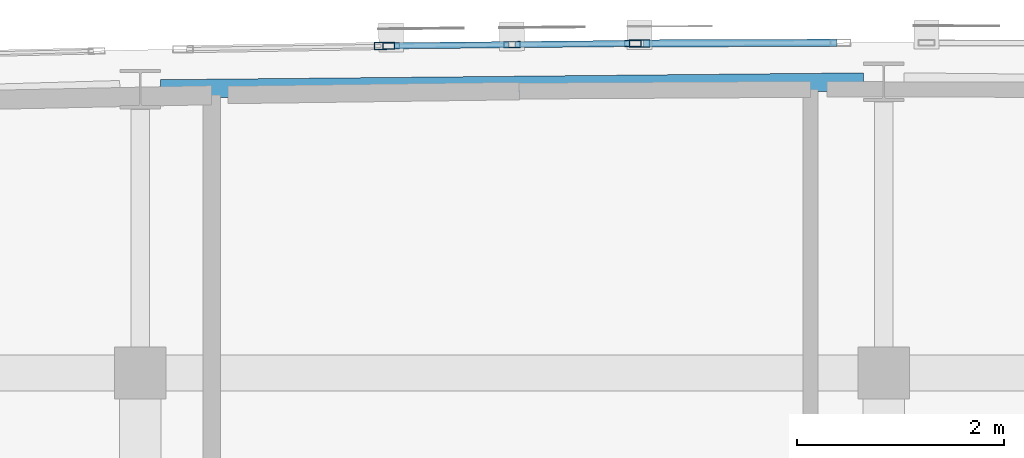
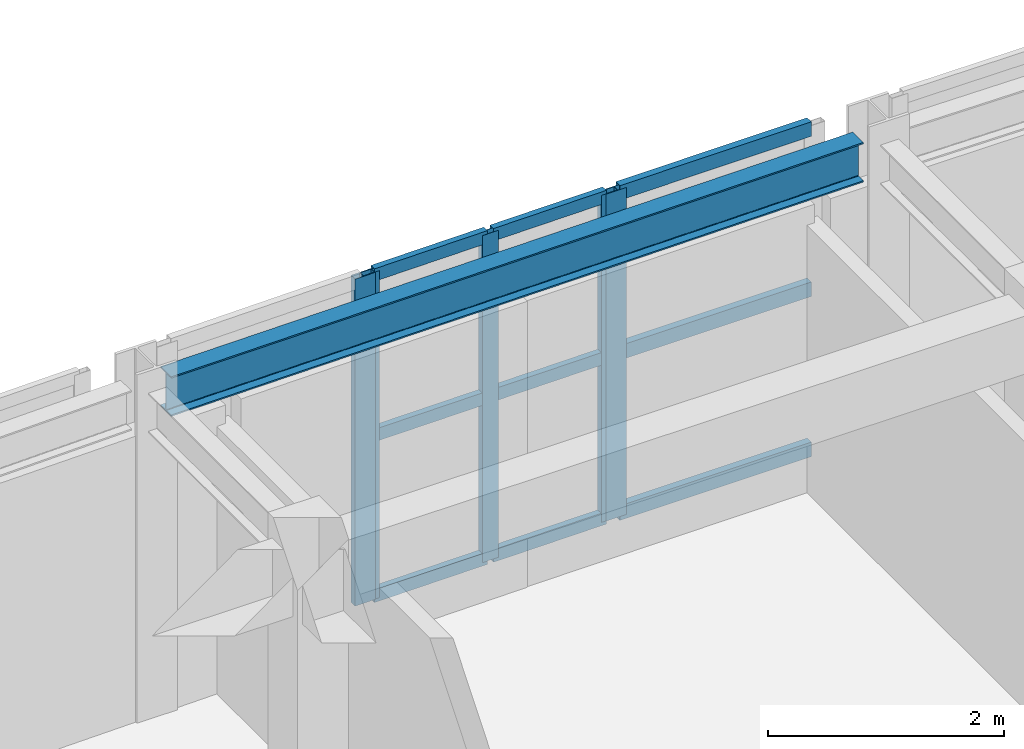
# One storey, part 15 of 34: 14 members, 1 beam, 3 elements without a shape of their own.
"""IFC4 building model written with IfcOpenShell, lengths in metres."""

from ifc_helpers import new_model, si_unit, direction, frame, origin, origin_2d, place, context, subcontext, project, spatial, hollow_rectangle, i_section, extrude, material, layer, layer_set, material_profile, profile_set, type_object, element, aggregate, save


model = new_model("IFC4")

# Units and contexts
model_context = context("Model", 3, precision=1e-05, world=origin(), true_north=direction((0.0, 1.0)))
body_context = subcontext(model_context, "Body", "Model", "MODEL_VIEW")
ifc_project = project(units=[si_unit("LENGTHUNIT", "METRE"), si_unit("AREAUNIT", "SQUARE_METRE"), si_unit("VOLUMEUNIT", "CUBIC_METRE"), si_unit("PLANEANGLEUNIT", "RADIAN"), si_unit("MASSUNIT", "GRAM", prefix="KILO")], contexts=[model_context])

# Site, building, storey
site_placement = place(None, origin())
site = spatial("IfcSite", under=ifc_project, at=site_placement, CompositionType="ELEMENT")
building_placement = place(site_placement, origin())
building = spatial("IfcBuilding", under=site, at=building_placement, Name="Carrowvane Square Congress Hotel", CompositionType="ELEMENT")
storey_placement = place(building_placement, frame((0.0, 0.0, 40.800048828125)))
storey = spatial("IfcBuildingStorey", under=building, at=storey_placement, Name="L10", CompositionType="ELEMENT", Elevation=40.800048828125)

# Beam
ifc_material_1 = material(Name="Steel S355", Category="steel")
ifc_material_profile_1 = material_profile(ifc_material_1, i_section(OverallWidth=0.1787109375, OverallDepth=0.409423828125, WebThickness=0.0087890625, FlangeThickness=0.014404296875, FilletRadius=0.01025390625, at=origin_2d()), Name="UKB 406x178x67")
ifc_profile_set_1 = profile_set([ifc_material_profile_1], Name="Steel S355")
beam_type = type_object("IfcBeamType", Name="BM-ST-UKB406", PredefinedType="BEAM", material=ifc_profile_set_1)
beam_placement = place(storey_placement, frame((90.997314453125, 116.151611328125, 3.17529296875), z_axis=(0.99995239219, 0.009757733037, 0.0), x_axis=(-0.009757733037, 0.99995239219, 0.0)))
element("IfcBeam", 1, at=beam_placement, inside=storey, type_object=beam_type, Name="L11 curved north spandrel", PredefinedType="BEAM", context=body_context, shape_type="SweptSolid", body=[
    extrude(i_section(OverallWidth=0.1787109375, OverallDepth=0.409423828125, WebThickness=0.0087890625, FlangeThickness=0.014404296875, FilletRadius=0.01025390625, at=origin_2d()), origin(), (0.0, 0.0, 1.0), 6.805419921875),
])

# Curtain wall, members
ifc_material_2 = material(Name="Anodised aluminium", Category="aluminium")
ifc_layer_1 = layer(ifc_material_2, 0.2099609375)
ifc_layer_set_1 = layer_set([ifc_layer_1], Name="Anodised aluminium")
curtain_wall_type_1 = type_object("IfcCurtainWallType", Name="CW-SYS-5", PredefinedType="NOTDEFINED", material=ifc_layer_set_1)
curtain_wall_1_placement = place(storey_placement, origin())
curtain_wall_1 = element("IfcCurtainWall", 2, at=curtain_wall_1_placement, inside=storey, type_object=curtain_wall_type_1, Name="L10 unitised curtain wall 572", PredefinedType="NOTDEFINED")
ifc_material_3 = material(Name="Anodised aluminium", Category="aluminium")
ifc_material_profile_2 = material_profile(ifc_material_3, hollow_rectangle(XDim=0.06005859375, YDim=0.159912109375, WallThickness=0.00390625, at=origin_2d()), Name="CW-ML 60x160x4")
ifc_profile_set_2 = profile_set([ifc_material_profile_2], Name="Anodised aluminium")
member_type_1 = type_object("IfcMemberType", Name="CW-MUL-1", PredefinedType="MULLION", material=ifc_profile_set_2)
member_1_placement = place(storey_placement, frame((93.22998046875, 116.56884765625, 0.0), z_axis=(0.0, 0.0, 1.0), x_axis=(-0.009782905924, 0.999952146231, 0.0)))
member_1 = element("IfcMember", 3, at=member_1_placement, type_object=member_type_1, Name="CW-5 mullion 1", PredefinedType="MULLION", context=body_context, shape_type="SweptSolid", body=[
    extrude(hollow_rectangle(XDim=0.06005859375, YDim=0.159912109375, WallThickness=0.00390625, at=origin_2d()), origin(), (0.0, 0.0, 1.0), 3.3798828125),
])
member_2_placement = place(storey_placement, frame((94.39990234375, 116.580322265625, 0.0), z_axis=(0.0, 0.0, 1.0), x_axis=(-0.009782905924, 0.999952146231, 0.0)))
member_2 = element("IfcMember", 4, at=member_2_placement, type_object=member_type_1, Name="CW-5 mullion 2", PredefinedType="MULLION", context=body_context, shape_type="SweptSolid", body=[
    extrude(hollow_rectangle(XDim=0.06005859375, YDim=0.159912109375, WallThickness=0.00390625, at=origin_2d()), origin(), (0.0, 0.0, 1.0), 3.3798828125),
])
member_3_placement = place(storey_placement, frame((95.570068359375, 116.591796875, 0.0), z_axis=(0.0, 0.0, 1.0), x_axis=(-0.009782905924, 0.999952146231, 0.0)))
member_3 = element("IfcMember", 5, at=member_3_placement, type_object=member_type_1, Name="CW-5 mullion 3", PredefinedType="MULLION", context=body_context, shape_type="SweptSolid", body=[
    extrude(hollow_rectangle(XDim=0.06005859375, YDim=0.159912109375, WallThickness=0.00390625, at=origin_2d()), origin(), (0.0, 0.0, 1.0), 3.3798828125),
])

# Curtain wall, member
ifc_material_4 = material(Name="Anodised aluminium", Category="aluminium")
ifc_layer_2 = layer(ifc_material_4, 0.197998046875)
ifc_layer_set_2 = layer_set([ifc_layer_2], Name="Anodised aluminium")
curtain_wall_type_2 = type_object("IfcCurtainWallType", Name="CW-SYS-4", PredefinedType="NOTDEFINED", material=ifc_layer_set_2)
curtain_wall_2_placement = place(storey_placement, origin())
curtain_wall_2 = element("IfcCurtainWall", 6, at=curtain_wall_2_placement, inside=storey, type_object=curtain_wall_type_2, Name="L10 unitised curtain wall 571", PredefinedType="NOTDEFINED")
ifc_material_5 = material(Name="Anodised aluminium", Category="aluminium")
ifc_material_profile_3 = material_profile(ifc_material_5, hollow_rectangle(XDim=0.070068359375, YDim=0.199951171875, WallThickness=0.0048828125, at=origin_2d()), Name="CW-ML 70x200x5")
ifc_profile_set_3 = profile_set([ifc_material_profile_3], Name="Anodised aluminium")
member_type_2 = type_object("IfcMemberType", Name="CW-MUL-2", PredefinedType="MULLION", material=ifc_profile_set_3)
member_4_placement = place(storey_placement, frame((93.1650390625, 116.568115234375, 0.0), z_axis=(0.0, 0.0, 1.0), x_axis=(-0.016215981364, 0.99986851233, 0.0)))
member_4 = element("IfcMember", 7, at=member_4_placement, type_object=member_type_2, Name="CW-4 mullion 2", PredefinedType="MULLION", context=body_context, shape_type="SweptSolid", body=[
    extrude(hollow_rectangle(XDim=0.070068359375, YDim=0.199951171875, WallThickness=0.0048828125, at=origin_2d()), origin(), (0.0, 0.0, 1.0), 3.3798828125),
])
aggregate(curtain_wall_2, [member_4])

ifc_material_6 = material(Name="Anodised aluminium", Category="aluminium")
ifc_layer_3 = layer(ifc_material_6, 0.221923828125)
ifc_layer_set_3 = layer_set([ifc_layer_3], Name="Anodised aluminium")
curtain_wall_type_3 = type_object("IfcCurtainWallType", Name="CW-SYS-6", PredefinedType="NOTDEFINED", material=ifc_layer_set_3)
curtain_wall_3_placement = place(storey_placement, origin())
curtain_wall_3 = element("IfcCurtainWall", 8, at=curtain_wall_3_placement, inside=storey, type_object=curtain_wall_type_3, Name="L10 unitised curtain wall 573", PredefinedType="NOTDEFINED")
member_5_placement = place(storey_placement, frame((95.635009765625, 116.59228515625, 0.0), z_axis=(0.0, 0.0, 1.0), x_axis=(-0.003270307911, 0.999994652529, 0.0)))
member_5 = element("IfcMember", 9, at=member_5_placement, type_object=member_type_2, Name="CW-6 mullion 1", PredefinedType="MULLION", context=body_context, shape_type="SweptSolid", body=[
    extrude(hollow_rectangle(XDim=0.070068359375, YDim=0.199951171875, WallThickness=0.0048828125, at=origin_2d()), origin(), (0.0, 0.0, 1.0), 3.3798828125),
])

# Member
ifc_material_7 = material(Name="Anodised aluminium", Category="aluminium")
ifc_material_profile_4 = material_profile(ifc_material_7, hollow_rectangle(XDim=0.06005859375, YDim=0.1298828125, WallThickness=0.00390625, at=origin_2d()), Name="CW-TR 60x130x4")
ifc_profile_set_4 = profile_set([ifc_material_profile_4], Name="Anodised aluminium")
member_type_3 = type_object("IfcMemberType", Name="CW-TRN-1", PredefinedType="USERDEFINED", material=ifc_profile_set_4)
member_6_placement = place(storey_placement, frame((93.260009765625, 116.5693359375, 0.030029296875), z_axis=(0.99995318393, 0.009676256893, 0.0), x_axis=(-0.009676256893, 0.99995318393, 0.0)))
member_6 = element("IfcMember", 10, at=member_6_placement, type_object=member_type_3, Name="CW-5 transom 1.1", ObjectType="TRANSOM", PredefinedType="USERDEFINED", context=body_context, shape_type="SweptSolid", body=[
    extrude(hollow_rectangle(XDim=0.06005859375, YDim=0.1298828125, WallThickness=0.00390625, at=origin_2d()), origin(), (0.0, 0.0, 1.0), 1.110107421875),
])

member_7_placement = place(storey_placement, frame((93.260009765625, 116.5693359375, 1.68994140625), z_axis=(0.99995318393, 0.009676256893, 0.0), x_axis=(-0.009676256893, 0.99995318393, 0.0)))
member_7 = element("IfcMember", 11, at=member_7_placement, type_object=member_type_3, Name="CW-5 transom 1.2", ObjectType="TRANSOM", PredefinedType="USERDEFINED", context=body_context, shape_type="SweptSolid", body=[
    extrude(hollow_rectangle(XDim=0.06005859375, YDim=0.1298828125, WallThickness=0.00390625, at=origin_2d()), origin(), (0.0, 0.0, 1.0), 1.110107421875),
])

member_8_placement = place(storey_placement, frame((93.260009765625, 116.5693359375, 3.349853515625), z_axis=(0.99995318393, 0.009676256893, 0.0), x_axis=(-0.009676256893, 0.99995318393, 0.0)))
member_8 = element("IfcMember", 12, at=member_8_placement, type_object=member_type_3, Name="CW-5 transom 1.3", ObjectType="TRANSOM", PredefinedType="USERDEFINED", context=body_context, shape_type="SweptSolid", body=[
    extrude(hollow_rectangle(XDim=0.06005859375, YDim=0.1298828125, WallThickness=0.00390625, at=origin_2d()), origin(), (0.0, 0.0, 1.0), 1.110107421875),
])

member_9_placement = place(storey_placement, frame((94.429931640625, 116.580810546875, 0.030029296875), z_axis=(0.99995318393, 0.009676256893, 0.0), x_axis=(-0.009676256893, 0.99995318393, 0.0)))
member_9 = element("IfcMember", 13, at=member_9_placement, type_object=member_type_3, Name="CW-5 transom 2.1", ObjectType="TRANSOM", PredefinedType="USERDEFINED", context=body_context, shape_type="SweptSolid", body=[
    extrude(hollow_rectangle(XDim=0.06005859375, YDim=0.1298828125, WallThickness=0.00390625, at=origin_2d()), origin(), (0.0, 0.0, 1.0), 1.110107421875),
])

member_10_placement = place(storey_placement, frame((94.429931640625, 116.580810546875, 1.68994140625), z_axis=(0.99995318393, 0.009676256893, 0.0), x_axis=(-0.009676256893, 0.99995318393, 0.0)))
member_10 = element("IfcMember", 14, at=member_10_placement, type_object=member_type_3, Name="CW-5 transom 2.2", ObjectType="TRANSOM", PredefinedType="USERDEFINED", context=body_context, shape_type="SweptSolid", body=[
    extrude(hollow_rectangle(XDim=0.06005859375, YDim=0.1298828125, WallThickness=0.00390625, at=origin_2d()), origin(), (0.0, 0.0, 1.0), 1.110107421875),
])

member_11_placement = place(storey_placement, frame((94.429931640625, 116.580810546875, 3.349853515625), z_axis=(0.99995318393, 0.009676256893, 0.0), x_axis=(-0.009676256893, 0.99995318393, 0.0)))
member_11 = element("IfcMember", 15, at=member_11_placement, type_object=member_type_3, Name="CW-5 transom 2.3", ObjectType="TRANSOM", PredefinedType="USERDEFINED", context=body_context, shape_type="SweptSolid", body=[
    extrude(hollow_rectangle(XDim=0.06005859375, YDim=0.1298828125, WallThickness=0.00390625, at=origin_2d()), origin(), (0.0, 0.0, 1.0), 1.110107421875),
])

aggregate(curtain_wall_1, [member_1, member_2, member_3, member_6, member_7, member_8, member_9, member_10, member_11])

ifc_material_8 = material(Name="Anodised aluminium", Category="aluminium")
ifc_material_profile_5 = material_profile(ifc_material_8, hollow_rectangle(XDim=0.070068359375, YDim=0.14990234375, WallThickness=0.0048828125, at=origin_2d()), Name="CW-TR 70x150x5")
ifc_profile_set_5 = profile_set([ifc_material_profile_5], Name="Anodised aluminium")
member_type_4 = type_object("IfcMemberType", Name="CW-TRN-2", PredefinedType="USERDEFINED", material=ifc_profile_set_5)
member_12_placement = place(storey_placement, frame((95.669921875, 116.59228515625, 0.034912109375), z_axis=(0.999994271018, 0.003384956522, 0.0), x_axis=(-0.003384956522, 0.999994271018, 0.0)))
member_12 = element("IfcMember", 16, at=member_12_placement, type_object=member_type_4, Name="CW-6 transom 1.1", ObjectType="TRANSOM", PredefinedType="USERDEFINED", context=body_context, shape_type="SweptSolid", body=[
    extrude(hollow_rectangle(XDim=0.070068359375, YDim=0.14990234375, WallThickness=0.0048828125, at=origin_2d()), origin(), (0.0, 0.0, 1.0), 1.875244140625),
])

member_13_placement = place(storey_placement, frame((95.669921875, 116.59228515625, 1.68994140625), z_axis=(0.999994271018, 0.003384956522, 0.0), x_axis=(-0.003384956522, 0.999994271018, 0.0)))
member_13 = element("IfcMember", 17, at=member_13_placement, type_object=member_type_4, Name="CW-6 transom 1.2", ObjectType="TRANSOM", PredefinedType="USERDEFINED", context=body_context, shape_type="SweptSolid", body=[
    extrude(hollow_rectangle(XDim=0.070068359375, YDim=0.14990234375, WallThickness=0.0048828125, at=origin_2d()), origin(), (0.0, 0.0, 1.0), 1.875244140625),
])

member_14_placement = place(storey_placement, frame((95.669921875, 116.59228515625, 3.344970703125), z_axis=(0.999994271018, 0.003384956522, 0.0), x_axis=(-0.003384956522, 0.999994271018, 0.0)))
member_14 = element("IfcMember", 18, at=member_14_placement, type_object=member_type_4, Name="CW-6 transom 1.3", ObjectType="TRANSOM", PredefinedType="USERDEFINED", context=body_context, shape_type="SweptSolid", body=[
    extrude(hollow_rectangle(XDim=0.070068359375, YDim=0.14990234375, WallThickness=0.0048828125, at=origin_2d()), origin(), (0.0, 0.0, 1.0), 1.875244140625),
])

aggregate(curtain_wall_3, [member_5, member_12, member_13, member_14])

save(model, "model.ifc")
